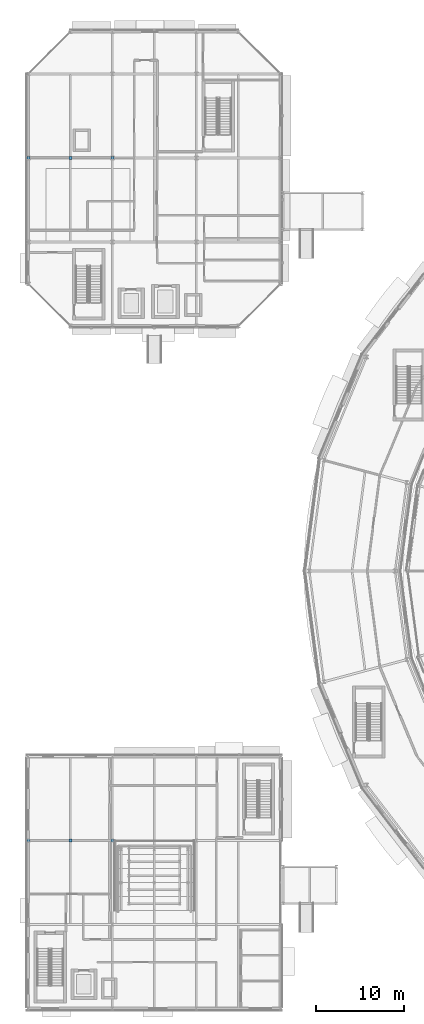
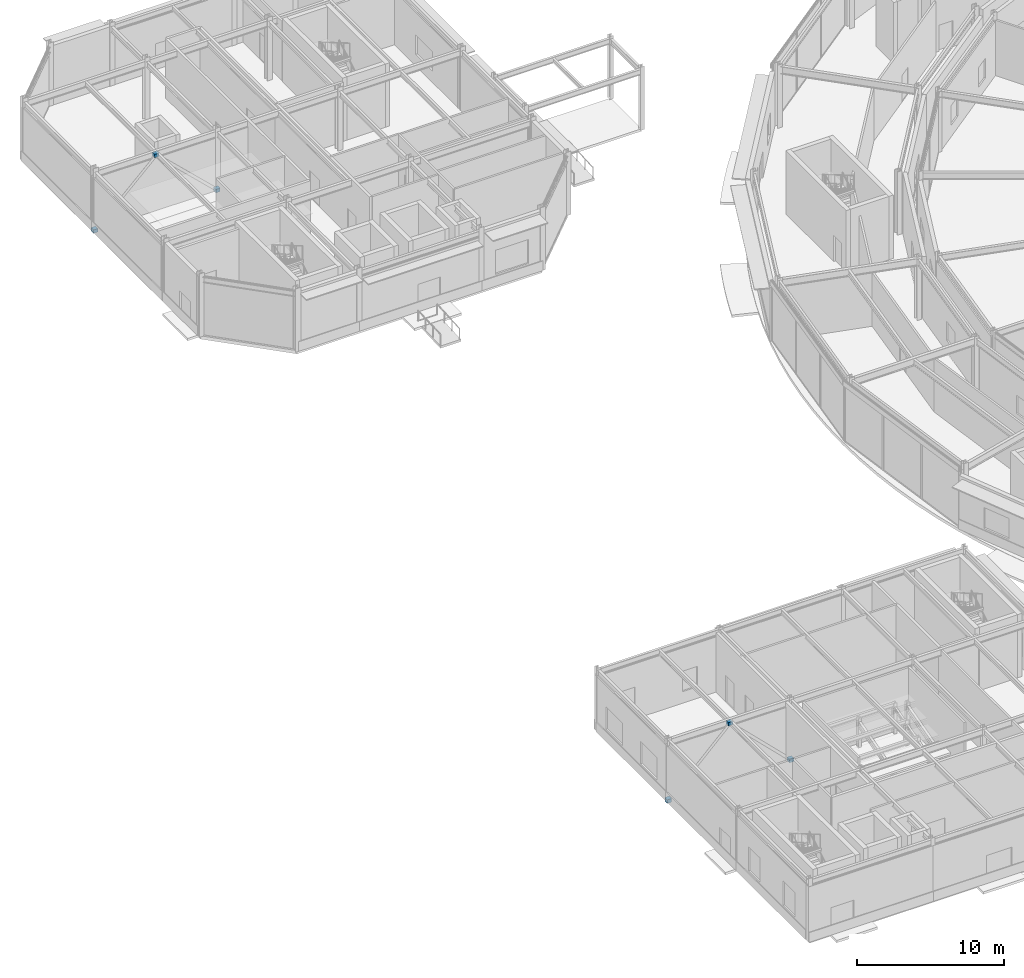
# One storey, part 115 of 168: 6 plates.
"""IFC4 building model written with IfcOpenShell, lengths in metres."""

from ifc_helpers import new_model, si_unit, direction, frame, origin, origin_2d, place, context, subcontext, project, spatial, rectangle, extrude, material, layer, layer_set, type_object, element, save


model = new_model("IFC4")

# Units and contexts
model_context = context("Model", 3, precision=1e-05, world=origin(), true_north=direction((0.0, 1.0)))
body_context = subcontext(model_context, "Body", "Model", "MODEL_VIEW")
ifc_project = project(units=[si_unit("LENGTHUNIT", "METRE"), si_unit("AREAUNIT", "SQUARE_METRE"), si_unit("VOLUMEUNIT", "CUBIC_METRE"), si_unit("PLANEANGLEUNIT", "RADIAN"), si_unit("MASSUNIT", "GRAM", prefix="KILO")], contexts=[model_context])

# Site, building, storey
site_placement = place(None, origin())
site = spatial("IfcSite", under=ifc_project, at=site_placement, CompositionType="ELEMENT")
building_placement = place(site_placement, origin())
building = spatial("IfcBuilding", under=site, at=building_placement, Name="Almandine Court Research Institute", CompositionType="ELEMENT")
storey_placement = place(building_placement, origin())
storey = spatial("IfcBuildingStorey", under=building, at=storey_placement, Name="L00", CompositionType="ELEMENT", Elevation=0.0)

# Plates
ifc_material = material(Name="Steel ASTM A36", Category="steel")
ifc_layer = layer(ifc_material, 0.280029296875)
ifc_layer_set = layer_set([ifc_layer], Name="Steel ASTM A36")
plate_type = type_object("IfcPlateType", Name="Plate-NPI-03", PredefinedType="SHEET", material=ifc_layer_set)
for number, where, z_axis, x_axis, name in (
    (1, (6.0, 25.199951171875, -0.1201171875), (0.0, 0.0, 1.0), (1.0, 0.0, 0.0), "L00 Seismic Brace Gusset Cap Plate V1-BF1-BL"),
    (2, (15.60009765625, 25.199951171875, -0.1201171875), (0.0, 0.0, 1.0), (1.0, 0.0, 0.0), "L00 Seismic Brace Gusset Cap Plate V1-BF1-BR"),
    (3, (10.800048828125, 25.199951171875, 4.60986328125), (0.0, 0.0, 1.0), (1.0, 0.0, 0.0), "L00 Seismic Brace Gusset Cap Plate V1-BF1-AP"),
    (4, (6.0, 103.199951171875, -0.1201171875), (0.0, 0.0, 1.0), (1.0, 0.0, 0.0), "L00 Seismic Brace Gusset Cap Plate V3-BF1-BL"),
    (5, (15.60009765625, 103.199951171875, -0.1201171875), (0.0, 0.0, 1.0), (1.0, 0.0, 0.0), "L00 Seismic Brace Gusset Cap Plate V3-BF1-BR"),
    (6, (10.800048828125, 103.199951171875, 4.47021484375), (0.0, 0.0, 1.0), (1.0, 0.0, 0.0), "L00 Seismic Brace Gusset Cap Plate V3-BF1-AP"),
):
    element("IfcPlate", number, at=place(storey_placement, frame(where, z_axis=z_axis, x_axis=x_axis)), inside=storey, type_object=plate_type, Name=name, PredefinedType="SHEET", context=body_context, shape_type="SweptSolid", body=[
        extrude(rectangle(XDim=0.340087890625, YDim=0.340087890625, at=origin_2d()), origin(), (0.0, 0.0, 1.0), 0.280029296875),
    ])

save(model, "model.ifc")
